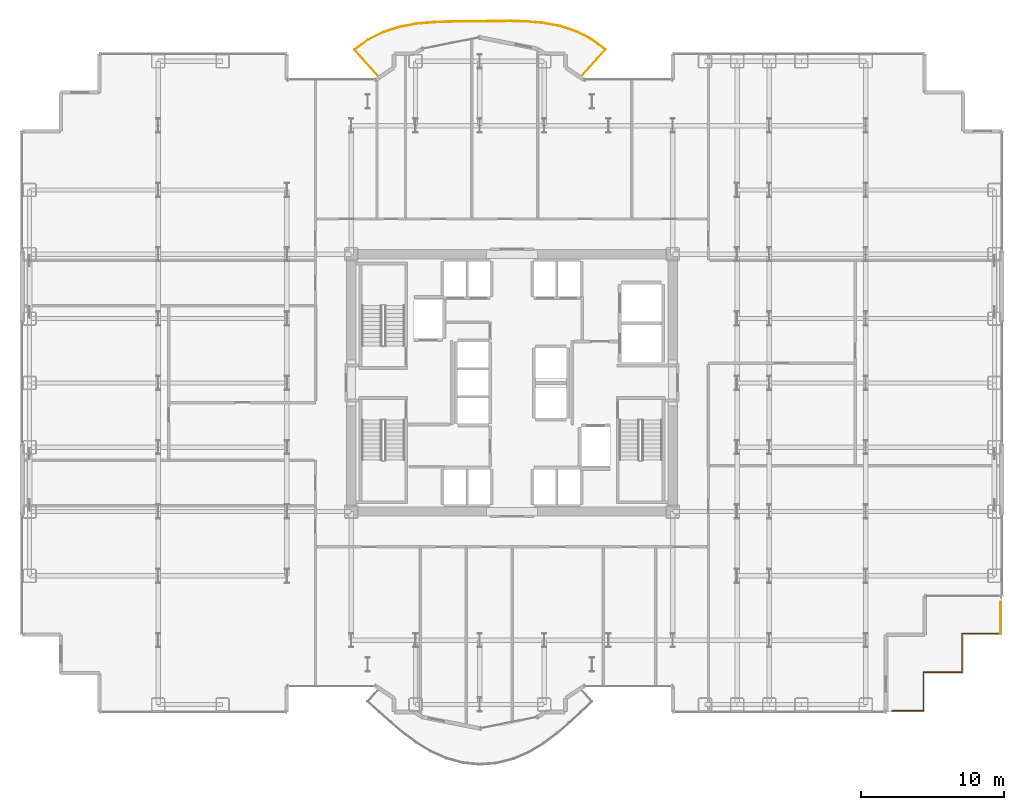
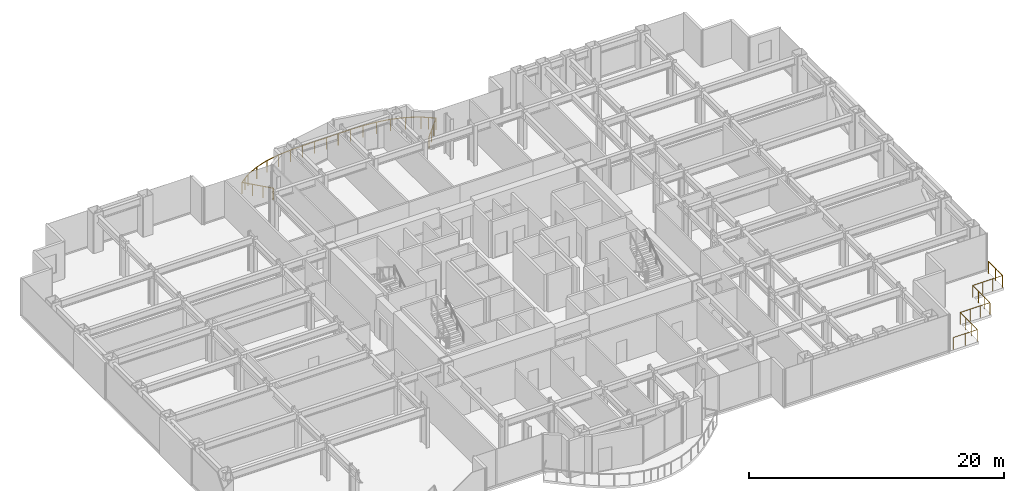
# One storey, part 29 of 29: 3 railings.
"""IFC4 building model written with IfcOpenShell, lengths in metres."""

from ifc_helpers import new_model, si_unit, direction, frame, origin, origin_2d, place, context, subcontext, project, spatial, circle, extrude, material, type_object, element, save


model = new_model("IFC4")

# Units and contexts
model_context = context("Model", 3, precision=1e-05, world=origin(), true_north=direction((0.0, 1.0)))
body_context = subcontext(model_context, "Body", "Model", "MODEL_VIEW")
ifc_project = project(units=[si_unit("LENGTHUNIT", "METRE"), si_unit("AREAUNIT", "SQUARE_METRE"), si_unit("VOLUMEUNIT", "CUBIC_METRE"), si_unit("PLANEANGLEUNIT", "RADIAN"), si_unit("MASSUNIT", "GRAM", prefix="KILO")], contexts=[model_context])

# Site, building, storey
site_placement = place(None, origin())
site = spatial("IfcSite", under=ifc_project, at=site_placement, CompositionType="ELEMENT")
building_placement = place(site_placement, origin())
building = spatial("IfcBuilding", under=site, at=building_placement, Name="Nefas-Gora Pilgrimage Tower", CompositionType="ELEMENT")
storey_placement = place(building_placement, frame((0.0, 0.0, 67.199951171875)))
storey = spatial("IfcBuildingStorey", under=building, at=storey_placement, Name="L15", CompositionType="ELEMENT", Elevation=67.199951171875)

# Railings
ifc_material = material(Name="Laminated safety glass and stainless steel", Category="steel")
railing_type_1 = type_object("IfcRailingType", Name="RLG-BAL-1100", PredefinedType="BALUSTRADE", material=ifc_material)
railing_1_placement = place(storey_placement, frame((4.802490234375, 21.402587890625, 0.0)))
element("IfcRailing", 1, at=railing_1_placement, inside=storey, type_object=railing_type_1, Name="L15 Wave Balcony Balustrade N1", PredefinedType="BALUSTRADE", context=body_context, shape_type="SweptSolid", body=[
    extrude(circle(Radius=0.02392578125, at=origin_2d()), frame((0.0, 0.0, 1.09619140625), z_axis=(0.669142449017, 0.743134162129, 0.0), x_axis=(-0.743134162129, 0.669142449017, 0.0)), (0.0, 0.0, 1.0), 2.580322265625),
    extrude(circle(Radius=0.02392578125, at=origin_2d()), frame((1.7265625, 1.91748046875, 1.09619140625), z_axis=(-0.799609380454, 0.600520473164, 0.0), x_axis=(-0.600520473164, -0.799609380454, 0.0)), (0.0, 0.0, 1.0), 1.200439453125),
    extrude(circle(Radius=0.02392578125, at=origin_2d()), frame((0.7666015625, 2.638427734375, 1.09619140625), z_axis=(-0.890733279512, 0.45452637412, 0.0), x_axis=(-0.45452637412, -0.890733279512, 0.0)), (0.0, 0.0, 1.0), 1.199462890625),
    extrude(circle(Radius=0.02392578125, at=origin_2d()), frame((-0.3017578125, 3.18359375, 1.09619140625), z_axis=(-0.950145160324, 0.311807912523, 0.0), x_axis=(-0.311807912523, -0.950145160324, 0.0)), (0.0, 0.0, 1.0), 1.194091796875),
    extrude(circle(Radius=0.02392578125, at=origin_2d()), frame((-1.436279296875, 3.555908203125, 1.09619140625), z_axis=(-0.982457799544, 0.186485045284, 0.0), x_axis=(-0.186485045284, -0.982457799544, 0.0)), (0.0, 0.0, 1.0), 1.180908203125),
    extrude(circle(Radius=0.02392578125, at=origin_2d()), frame((-2.596435546875, 3.776123046875, 1.09619140625), z_axis=(-0.996011638398, 0.089223405981, 0.0), x_axis=(-0.089223405981, -0.996011638398, 0.0)), (0.0, 0.0, 1.0), 1.157470703125),
    extrude(circle(Radius=0.02392578125, at=origin_2d()), frame((-3.749267578125, 3.87939453125, 1.09619140625), z_axis=(-0.99967356135, 0.025549378436, 0.0), x_axis=(-0.025549378436, -0.99967356135, 0.0)), (0.0, 0.0, 1.0), 1.127685546875),
    extrude(circle(Radius=0.02392578125, at=origin_2d()), frame((-4.87646484375, 3.908203125, 1.09619140625), z_axis=(-0.999980616702, -0.00622625245, 0.0), x_axis=(0.00622625245, -0.999980616702, 0.0)), (0.0, 0.0, 1.0), 1.097900390625),
    extrude(circle(Radius=0.02392578125, at=origin_2d()), frame((-5.974365234375, 3.9013671875, 1.09619140625), z_axis=(-0.99992244912, -0.012453744271, 0.0), x_axis=(0.012453744271, -0.99992244912, 0.0)), (0.0, 0.0, 1.0), 1.078125),
    extrude(circle(Radius=0.02392578125, at=origin_2d()), frame((-7.052490234375, 3.887939453125, 1.09619140625), z_axis=(-0.999968478826, -0.007939858611, 0.0), x_axis=(0.007939858611, -0.999968478826, 0.0)), (0.0, 0.0, 1.0), 1.076171875),
    extrude(circle(Radius=0.02392578125, at=origin_2d()), frame((-8.128662109375, 3.87939453125, 1.09619140625), z_axis=(-0.999947171878, -0.010278786571, 0.0), x_axis=(0.010278786571, -0.999947171878, 0.0)), (0.0, 0.0, 1.0), 1.092529296875),
    extrude(circle(Radius=0.02392578125, at=origin_2d()), frame((-9.22119140625, 3.8681640625, 1.09619140625), z_axis=(-0.99936174395, -0.03572260811, 0.0), x_axis=(0.03572260811, -0.99936174395, 0.0)), (0.0, 0.0, 1.0), 1.120849609375),
    extrude(circle(Radius=0.02392578125, at=origin_2d()), frame((-10.34130859375, 3.828125, 1.09619140625), z_axis=(-0.995737068409, -0.092237143262, 0.0), x_axis=(0.092237143262, -0.995737068409, 0.0)), (0.0, 0.0, 1.0), 1.1513671875),
    extrude(circle(Radius=0.02392578125, at=origin_2d()), frame((-11.48779296875, 3.721923828125, 1.09619140625), z_axis=(-0.983222780011, -0.182408785063, 0.0), x_axis=(0.182408785063, -0.983222780011, 0.0)), (0.0, 0.0, 1.0), 1.176513671875),
    extrude(circle(Radius=0.02392578125, at=origin_2d()), frame((-12.64453125, 3.50732421875, 1.09619140625), z_axis=(-0.953347137132, -0.301876193369, 0.0), x_axis=(0.301876193369, -0.953347137132, 0.0)), (0.0, 0.0, 1.0), 1.192138671875),
    extrude(circle(Radius=0.02392578125, at=origin_2d()), frame((-13.781005859375, 3.1474609375, 1.09619140625), z_axis=(-0.8975416003, -0.440929785489, 0.0), x_axis=(0.440929785489, -0.8975416003, 0.0)), (0.0, 0.0, 1.0), 1.19873046875),
    extrude(circle(Radius=0.02392578125, at=origin_2d()), frame((-14.85693359375, 2.618896484375, 1.09619140625), z_axis=(-0.81049147795, -0.58575042823, 0.0), x_axis=(0.58575042823, -0.81049147795, 0.0)), (0.0, 0.0, 1.0), 1.200439453125),
    extrude(circle(Radius=0.02392578125, at=origin_2d()), frame((-15.829833984375, 1.915771484375, 1.09619140625), z_axis=(0.669105995394, -0.743166984552, 0.0), x_axis=(0.743166984552, 0.669105995394, 0.0)), (0.0, 0.0, 1.0), 2.577880859375),
    extrude(circle(Radius=0.02099609375, at=origin_2d()), origin(), (0.0, 0.0, 1.0), 1.072021484375),
    extrude(circle(Radius=0.02099609375, at=origin_2d()), frame((0.575439453125, 0.63916015625, 0.0)), (0.0, 0.0, 1.0), 1.072021484375),
    extrude(circle(Radius=0.02099609375, at=origin_2d()), frame((1.151123046875, 1.2783203125, 0.0)), (0.0, 0.0, 1.0), 1.072021484375),
    extrude(circle(Radius=0.02099609375, at=origin_2d()), frame((1.7265625, 1.91748046875, 0.0)), (0.0, 0.0, 1.0), 1.072021484375),
    extrude(circle(Radius=0.02099609375, at=origin_2d()), frame((1.24658203125, 2.27783203125, 0.0)), (0.0, 0.0, 1.0), 1.072021484375),
    extrude(circle(Radius=0.02099609375, at=origin_2d()), frame((0.7666015625, 2.638427734375, 0.0)), (0.0, 0.0, 1.0), 1.072021484375),
    extrude(circle(Radius=0.02099609375, at=origin_2d()), frame((-0.3017578125, 3.18359375, 0.0)), (0.0, 0.0, 1.0), 1.072021484375),
    extrude(circle(Radius=0.02099609375, at=origin_2d()), frame((-1.436279296875, 3.555908203125, 0.0)), (0.0, 0.0, 1.0), 1.072021484375),
    extrude(circle(Radius=0.02099609375, at=origin_2d()), frame((-2.596435546875, 3.776123046875, 0.0)), (0.0, 0.0, 1.0), 1.072021484375),
    extrude(circle(Radius=0.02099609375, at=origin_2d()), frame((-3.749267578125, 3.87939453125, 0.0)), (0.0, 0.0, 1.0), 1.072021484375),
    extrude(circle(Radius=0.02099609375, at=origin_2d()), frame((-4.87646484375, 3.908203125, 0.0)), (0.0, 0.0, 1.0), 1.072021484375),
    extrude(circle(Radius=0.02099609375, at=origin_2d()), frame((-5.974365234375, 3.9013671875, 0.0)), (0.0, 0.0, 1.0), 1.072021484375),
    extrude(circle(Radius=0.02099609375, at=origin_2d()), frame((-7.052490234375, 3.887939453125, 0.0)), (0.0, 0.0, 1.0), 1.072021484375),
    extrude(circle(Radius=0.02099609375, at=origin_2d()), frame((-8.128662109375, 3.87939453125, 0.0)), (0.0, 0.0, 1.0), 1.072021484375),
    extrude(circle(Radius=0.02099609375, at=origin_2d()), frame((-9.22119140625, 3.8681640625, 0.0)), (0.0, 0.0, 1.0), 1.072021484375),
    extrude(circle(Radius=0.02099609375, at=origin_2d()), frame((-10.34130859375, 3.828125, 0.0)), (0.0, 0.0, 1.0), 1.072021484375),
    extrude(circle(Radius=0.02099609375, at=origin_2d()), frame((-11.48779296875, 3.721923828125, 0.0)), (0.0, 0.0, 1.0), 1.072021484375),
    extrude(circle(Radius=0.02099609375, at=origin_2d()), frame((-12.64453125, 3.50732421875, 0.0)), (0.0, 0.0, 1.0), 1.072021484375),
    extrude(circle(Radius=0.02099609375, at=origin_2d()), frame((-13.781005859375, 3.1474609375, 0.0)), (0.0, 0.0, 1.0), 1.072021484375),
    extrude(circle(Radius=0.02099609375, at=origin_2d()), frame((-14.85693359375, 2.618896484375, 0.0)), (0.0, 0.0, 1.0), 1.072021484375),
    extrude(circle(Radius=0.02099609375, at=origin_2d()), frame((-15.34326171875, 2.267333984375, 0.0)), (0.0, 0.0, 1.0), 1.072021484375),
    extrude(circle(Radius=0.02099609375, at=origin_2d()), frame((-15.829833984375, 1.915771484375, 0.0)), (0.0, 0.0, 1.0), 1.072021484375),
    extrude(circle(Radius=0.02099609375, at=origin_2d()), frame((-15.2548828125, 1.277099609375, 0.0)), (0.0, 0.0, 1.0), 1.072021484375),
    extrude(circle(Radius=0.02099609375, at=origin_2d()), frame((-14.679931640625, 0.638671875, 0.0)), (0.0, 0.0, 1.0), 1.072021484375),
    extrude(circle(Radius=0.02099609375, at=origin_2d()), frame((-14.10498046875, 0.0, 0.0)), (0.0, 0.0, 1.0), 1.072021484375),
])
railing_type_2 = type_object("IfcRailingType", Name="RLG-TER-1150", PredefinedType="BALUSTRADE", material=ifc_material)
railing_2_placement = place(storey_placement, frame((34.18994140625, -17.5400390625, 0.0)))
element("IfcRailing", 2, at=railing_2_placement, inside=storey, type_object=railing_type_2, Name="L15 Terrace Continuous Balustrade TER-SP-SE.1", PredefinedType="BALUSTRADE", context=body_context, shape_type="SweptSolid", body=[
    extrude(circle(Radius=0.02392578125, at=origin_2d()), frame((0.0, 0.0, 1.1259765625), z_axis=(-1.0, 0.0, 0.0), x_axis=(0.0, -1.0, 0.0)), (0.0, 0.0, 1.0), 2.699951171875),
    extrude(circle(Radius=0.02392578125, at=origin_2d()), frame((-2.699951171875, 0.0, 1.1259765625), z_axis=(0.0, -1.0, 0.0), x_axis=(1.0, 0.0, 0.0)), (0.0, 0.0, 1.0), 2.699951171875),
    extrude(circle(Radius=0.02392578125, at=origin_2d()), frame((-2.699951171875, -2.699951171875, 1.1259765625), z_axis=(-1.0, 0.0, 0.0), x_axis=(0.0, -1.0, 0.0)), (0.0, 0.0, 1.0), 2.699951171875),
    extrude(circle(Radius=0.02392578125, at=origin_2d()), frame((-5.39990234375, -2.699951171875, 1.1259765625), z_axis=(0.0, -1.0, 0.0), x_axis=(1.0, 0.0, 0.0)), (0.0, 0.0, 1.0), 2.699951171875),
    extrude(circle(Radius=0.02392578125, at=origin_2d()), frame((-5.39990234375, -5.39990234375, 1.1259765625), z_axis=(-1.0, 0.0, 0.0), x_axis=(0.0, -1.0, 0.0)), (0.0, 0.0, 1.0), 2.199951171875),
    extrude(circle(Radius=0.02099609375, at=origin_2d()), origin(), (0.0, 0.0, 1.0), 1.101806640625),
    extrude(circle(Radius=0.02099609375, at=origin_2d()), frame((-0.89990234375, 0.0, 0.0)), (0.0, 0.0, 1.0), 1.101806640625),
    extrude(circle(Radius=0.02099609375, at=origin_2d()), frame((-1.800048828125, 0.0, 0.0)), (0.0, 0.0, 1.0), 1.101806640625),
    extrude(circle(Radius=0.02099609375, at=origin_2d()), frame((-2.699951171875, 0.0, 0.0)), (0.0, 0.0, 1.0), 1.101806640625),
    extrude(circle(Radius=0.02099609375, at=origin_2d()), frame((-2.699951171875, -0.89990234375, 0.0)), (0.0, 0.0, 1.0), 1.101806640625),
    extrude(circle(Radius=0.02099609375, at=origin_2d()), frame((-2.699951171875, -1.800048828125, 0.0)), (0.0, 0.0, 1.0), 1.101806640625),
    extrude(circle(Radius=0.02099609375, at=origin_2d()), frame((-2.699951171875, -2.699951171875, 0.0)), (0.0, 0.0, 1.0), 1.101806640625),
    extrude(circle(Radius=0.02099609375, at=origin_2d()), frame((-3.599853515625, -2.699951171875, 0.0)), (0.0, 0.0, 1.0), 1.101806640625),
    extrude(circle(Radius=0.02099609375, at=origin_2d()), frame((-4.5, -2.699951171875, 0.0)), (0.0, 0.0, 1.0), 1.101806640625),
    extrude(circle(Radius=0.02099609375, at=origin_2d()), frame((-5.39990234375, -2.699951171875, 0.0)), (0.0, 0.0, 1.0), 1.101806640625),
    extrude(circle(Radius=0.02099609375, at=origin_2d()), frame((-5.39990234375, -3.599853515625, 0.0)), (0.0, 0.0, 1.0), 1.101806640625),
    extrude(circle(Radius=0.02099609375, at=origin_2d()), frame((-5.39990234375, -4.5, 0.0)), (0.0, 0.0, 1.0), 1.101806640625),
    extrude(circle(Radius=0.02099609375, at=origin_2d()), frame((-5.39990234375, -5.39990234375, 0.0)), (0.0, 0.0, 1.0), 1.101806640625),
    extrude(circle(Radius=0.02099609375, at=origin_2d()), frame((-6.5, -5.39990234375, 0.0)), (0.0, 0.0, 1.0), 1.101806640625),
    extrude(circle(Radius=0.02099609375, at=origin_2d()), frame((-7.599853515625, -5.39990234375, 0.0)), (0.0, 0.0, 1.0), 1.101806640625),
])
railing_3_placement = place(storey_placement, frame((34.18994140625, -15.340087890625, 0.0)))
element("IfcRailing", 3, at=railing_3_placement, inside=storey, type_object=railing_type_2, Name="L15 Terrace Continuous Balustrade TER-SP-SE.2", PredefinedType="BALUSTRADE", context=body_context, shape_type="SweptSolid", body=[
    extrude(circle(Radius=0.02392578125, at=origin_2d()), frame((0.0, 0.0, 1.1259765625), z_axis=(0.0, -1.0, 0.0), x_axis=(1.0, 0.0, 0.0)), (0.0, 0.0, 1.0), 2.199951171875),
    extrude(circle(Radius=0.02099609375, at=origin_2d()), origin(), (0.0, 0.0, 1.0), 1.101806640625),
    extrude(circle(Radius=0.02099609375, at=origin_2d()), frame((0.0, -1.10009765625, 0.0)), (0.0, 0.0, 1.0), 1.101806640625),
    extrude(circle(Radius=0.02099609375, at=origin_2d()), frame((0.0, -2.199951171875, 0.0)), (0.0, 0.0, 1.0), 1.101806640625),
])

save(model, "model.ifc")
